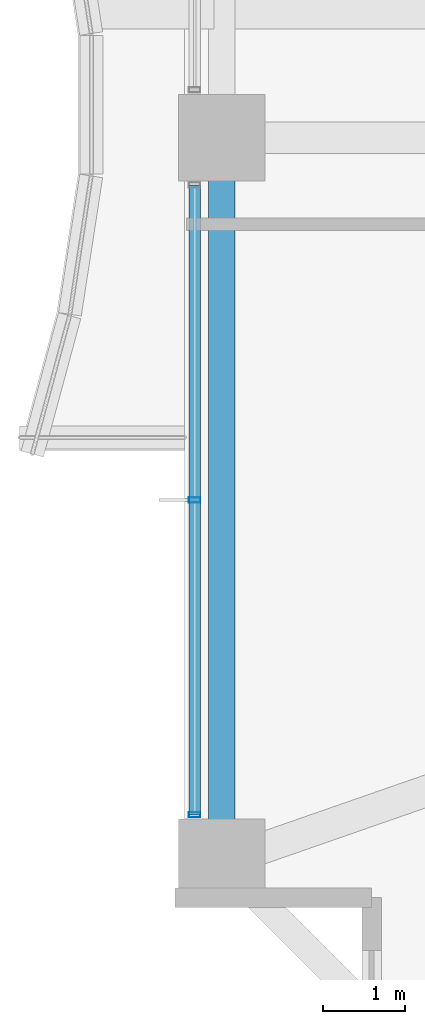
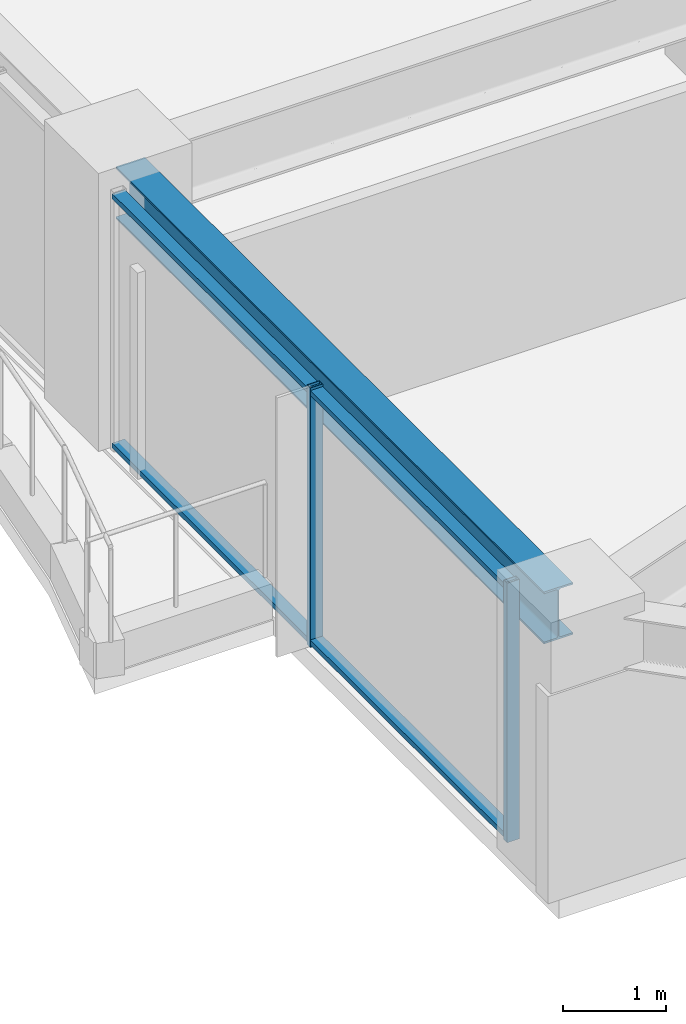
# One storey, part 3 of 38: 4 members, 1 beam, 1 element without a shape of its own.
"""IFC4 building model written with IfcOpenShell, lengths in metres."""

from ifc_helpers import new_model, si_unit, direction, frame, origin, origin_2d, place, context, subcontext, project, spatial, hollow_rectangle, i_section, extrude, material, material_profile, profile_set, type_object, element, aggregate, save


model = new_model("IFC4")

# Units and contexts
model_context = context("Model", 3, precision=1e-05, world=origin(), true_north=direction((0.0, 1.0)))
body_context = subcontext(model_context, "Body", "Model", "MODEL_VIEW")
ifc_project = project(units=[si_unit("LENGTHUNIT", "METRE"), si_unit("AREAUNIT", "SQUARE_METRE"), si_unit("VOLUMEUNIT", "CUBIC_METRE"), si_unit("PLANEANGLEUNIT", "RADIAN"), si_unit("MASSUNIT", "GRAM", prefix="KILO")], contexts=[model_context])

# Site, building, storey
site_placement = place(None, origin())
site = spatial("IfcSite", under=ifc_project, at=site_placement, CompositionType="ELEMENT")
building_placement = place(site_placement, origin())
building = spatial("IfcBuilding", under=site, at=building_placement, Name="Kolvaren Belvedere", CompositionType="ELEMENT")
storey_placement = place(building_placement, frame((0.0, 0.0, 101.89990234375)))
storey = spatial("IfcBuildingStorey", under=building, at=storey_placement, Name="L29", CompositionType="ELEMENT", Elevation=101.89990234375)

# Beam
ifc_material_1 = material(Name="Structural steel ASTM A992 Grade 50", Category="steel")
ifc_material_profile_1 = material_profile(ifc_material_1, i_section(OverallWidth=0.324951171875, OverallDepth=0.615966796875, WebThickness=0.013916015625, FlangeThickness=0.021484375, FilletRadius=0.02001953125, at=origin_2d()), Name="W24X117")
ifc_profile_set_1 = profile_set([ifc_material_profile_1], Name="Structural steel ASTM A992 Grade 50")
beam_type = type_object("IfcBeamType", Name="BM-SPAN-W24X117", PredefinedType="SPANDREL", material=ifc_profile_set_1)
beam_placement = place(storey_placement, frame((-19.949951171875, -4.836181640625, 2.772216796875), z_axis=(0.0, -1.0, 0.0), x_axis=(1.0, 0.0, 0.0)))
element("IfcBeam", 1, at=beam_placement, inside=storey, type_object=beam_type, Name="L29 Perimeter Spandrel W2-W1", PredefinedType="SPANDREL", context=body_context, shape_type="SweptSolid", body=[
    extrude(i_section(OverallWidth=0.324951171875, OverallDepth=0.615966796875, WebThickness=0.013916015625, FlangeThickness=0.021484375, FilletRadius=0.02001953125, at=origin_2d()), origin(), (0.0, 0.0, 1.0), 8.32763671875),
])

# Curtain wall, members
ifc_material_2 = material(Name="Anodised pale-metal aluminium AA 6063-T6", Category="aluminium")
curtain_wall_type = type_object("IfcCurtainWallType", Name="CW-Z2-MID", PredefinedType="NOTDEFINED", material=ifc_material_2)
curtain_wall_placement = place(storey_placement, origin())
curtain_wall = element("IfcCurtainWall", 2, at=curtain_wall_placement, inside=storey, type_object=curtain_wall_type, Name="L29 Unitised Curtain Wall FCW-L29-W1-B1", PredefinedType="NOTDEFINED")
ifc_material_3 = material(Name="Anodised pale-metal aluminium AA 6063-T6", Category="aluminium")
ifc_material_profile_2 = material_profile(ifc_material_3, hollow_rectangle(XDim=0.06494140625, YDim=0.139892578125, WallThickness=0.00390625, at=origin_2d()), Name="ALU-MUL-140X65")
ifc_profile_set_2 = profile_set([ifc_material_profile_2], Name="Anodised pale-metal aluminium AA 6063-T6")
member_type_1 = type_object("IfcMemberType", Name="CW-MUL-140", PredefinedType="MULLION", material=ifc_profile_set_2)
member_1_placement = place(storey_placement, frame((-20.280029296875, -12.822509765625, 0.0), z_axis=(0.0, 0.0, 1.0), x_axis=(0.0, 1.0, 0.0)))
member_1 = element("IfcMember", 3, at=member_1_placement, type_object=member_type_1, Name="FCW-L29-W1-B1 Unitised Mullion 1", PredefinedType="MULLION", context=body_context, shape_type="SweptSolid", body=[
    extrude(hollow_rectangle(XDim=0.06494140625, YDim=0.139892578125, WallThickness=0.00390625, at=origin_2d()), origin(), (0.0, 0.0, 1.0), 3.080078125),
])
member_2_placement = place(storey_placement, frame((-20.280029296875, -9.0, 0.0), z_axis=(0.0, 0.0, 1.0), x_axis=(0.0, 1.0, 0.0)))
member_2 = element("IfcMember", 4, at=member_2_placement, type_object=member_type_1, Name="FCW-L29-W1-B1 Unitised Mullion 2", PredefinedType="MULLION", context=body_context, shape_type="SweptSolid", body=[
    extrude(hollow_rectangle(XDim=0.06494140625, YDim=0.139892578125, WallThickness=0.00390625, at=origin_2d()), origin(), (0.0, 0.0, 1.0), 3.080078125),
])
ifc_material_4 = material(Name="Anodised pale-metal aluminium AA 6063-T6", Category="aluminium")
ifc_material_profile_3 = material_profile(ifc_material_4, hollow_rectangle(XDim=0.06005859375, YDim=0.139892578125, WallThickness=0.00390625, at=origin_2d()), Name="ALU-TRN-140X60")
ifc_profile_set_3 = profile_set([ifc_material_profile_3], Name="Anodised pale-metal aluminium AA 6063-T6")
member_type_2 = type_object("IfcMemberType", Name="CW-TRN-140", PredefinedType="USERDEFINED", material=ifc_profile_set_3)
member_3_placement = place(storey_placement, frame((-20.280029296875, -12.822509765625, 0.06005859375), z_axis=(0.0, 1.0, 0.0), x_axis=(0.0, 0.0, 1.0)))
member_3 = element("IfcMember", 5, at=member_3_placement, type_object=member_type_2, Name="FCW-L29-W1-B1 Sill Transom", ObjectType="TRANSOM", PredefinedType="USERDEFINED", context=body_context, shape_type="SweptSolid", body=[
    extrude(hollow_rectangle(XDim=0.06005859375, YDim=0.139892578125, WallThickness=0.00390625, at=origin_2d()), origin(), (0.0, 0.0, 1.0), 7.64501953125),
])
member_4_placement = place(storey_placement, frame((-20.280029296875, -12.822509765625, 3.02001953125), z_axis=(0.0, 1.0, 0.0), x_axis=(0.0, 0.0, 1.0)))
member_4 = element("IfcMember", 6, at=member_4_placement, type_object=member_type_2, Name="FCW-L29-W1-B1 Head Transom", ObjectType="TRANSOM", PredefinedType="USERDEFINED", context=body_context, shape_type="SweptSolid", body=[
    extrude(hollow_rectangle(XDim=0.06005859375, YDim=0.139892578125, WallThickness=0.00390625, at=origin_2d()), origin(), (0.0, 0.0, 1.0), 7.64501953125),
])
aggregate(curtain_wall, [member_1, member_2, member_3, member_4])

save(model, "model.ifc")
